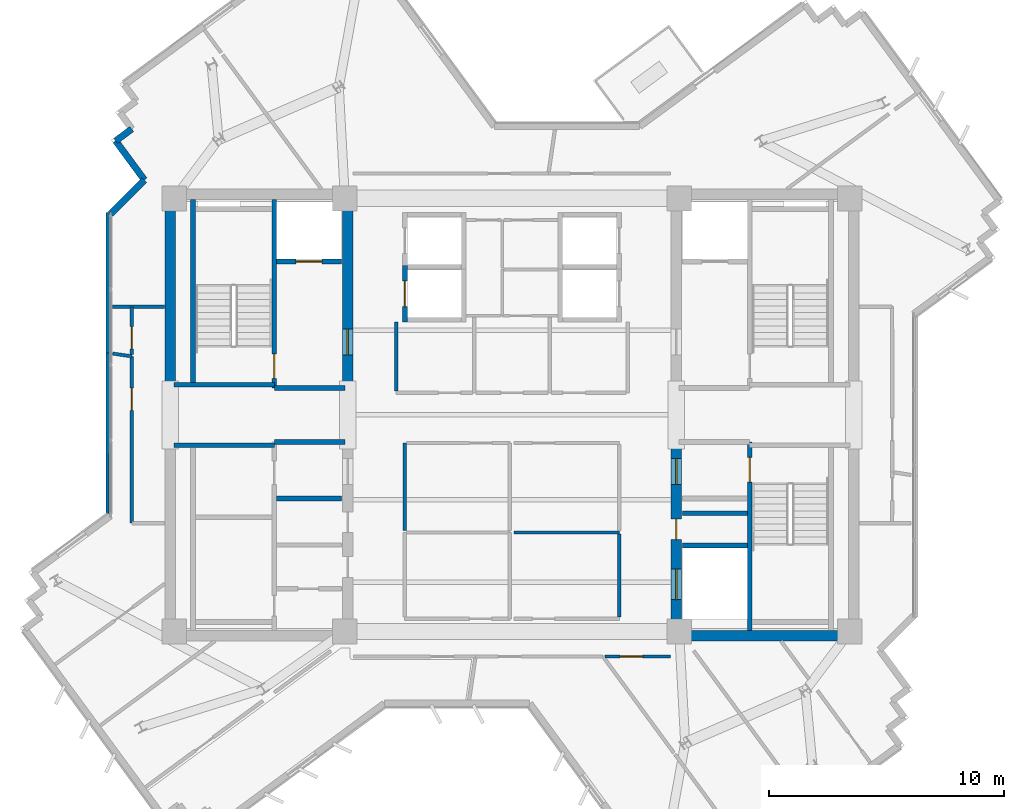
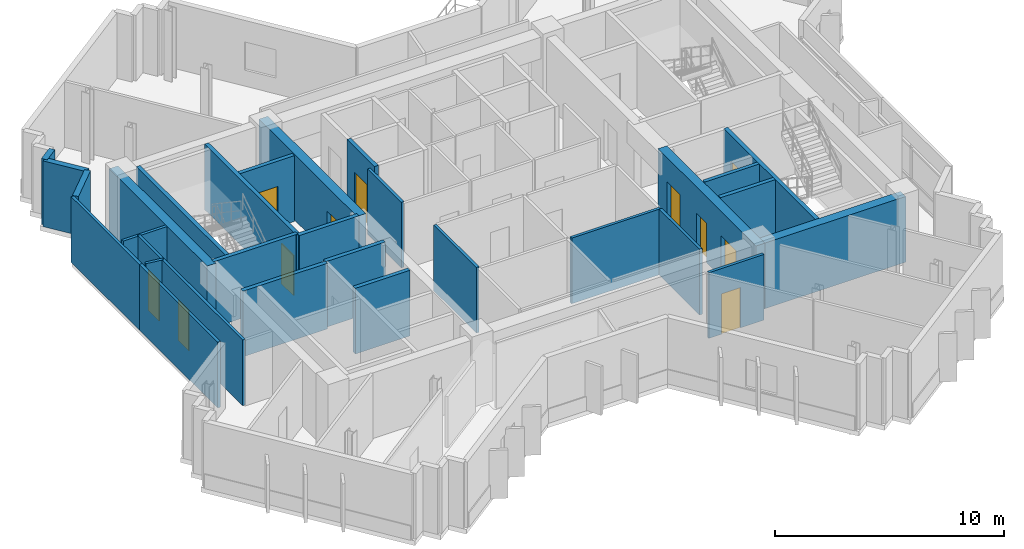
# One storey, part 7 of 13: 30 walls, 11 doors, 11 openings.
"""IFC4 building model written with IfcOpenShell, lengths in metres."""

import ifcopenshell
import ifcopenshell.guid

model = None  # the IFC model being written
_history = None  # IfcOwnerHistory: only IFC2X3 demands one
_inside = {}  # id of a spatial element -> (the spatial element, [elements in it])
_under = {}  # id of a project, library or spatial element -> (it, [spatial elements below it])
_declared = {}  # id of a project -> (the project, [libraries it declares])
_typed = {}  # id of a type object -> (the type object, [elements of that type])
_made_of = {}  # id of a material, layer set ... -> (it, [elements and type objects made of it])


def new_model(schema):
    """Start an empty IFC model of exactly this schema.

    Asked for "IFC4X3", IfcOpenShell would pick the latest addendum, in which some entities
    have other attributes; the version numbers below select the first issue.
    IFC2X3 requires an IfcOwnerHistory on every rooted entity: one is made here for all.
    """
    global model, _history
    if schema == "IFC4X3":
        model = ifcopenshell.file(schema_version=(4, 3, 0, 0))
    else:
        model = ifcopenshell.file(schema=schema)
    _inside.clear()
    _under.clear()
    _declared.clear()
    _typed.clear()
    _made_of.clear()
    _history = None
    if model.schema == "IFC2X3":
        org = make("IfcOrganization", Name="unknown")
        user = make(
            "IfcPersonAndOrganization",
            ThePerson=make("IfcPerson", FamilyName="unknown"),
            TheOrganization=org,
        )
        app = make(
            "IfcApplication",
            ApplicationDeveloper=org,
            Version="unknown",
            ApplicationFullName="unknown",
            ApplicationIdentifier="unknown",
        )
        _history = make(
            "IfcOwnerHistory",
            OwningUser=user,
            OwningApplication=app,
            ChangeAction="ADDED",
            CreationDate=0,
        )
    return model


def make(cls, **values):
    """One entity of the class cls with the attributes given. An attribute that is None is left unset."""
    return model.create_entity(
        cls, **{name: value for name, value in values.items() if value is not None}
    )


def rooted(cls, **values):
    """An entity with a GlobalId (a new one), such as an element, a storey or a relation."""
    return make(cls, GlobalId=ifcopenshell.guid.new(), OwnerHistory=_history, **values)


def si_unit(unit_type, name, prefix=None):
    """IfcSIUnit, for example si_unit("LENGTHUNIT", "METRE", prefix="MILLI")."""
    return make("IfcSIUnit", UnitType=unit_type, Prefix=prefix, Name=name)


def assignment(units):
    """IfcUnitAssignment: the units of a project."""
    return None if units is None else make("IfcUnitAssignment", Units=units)


def point(xyz):
    """IfcCartesianPoint."""
    return None if xyz is None else make("IfcCartesianPoint", Coordinates=xyz)


def direction(xyz):
    """IfcDirection."""
    return None if xyz is None else make("IfcDirection", DirectionRatios=xyz)


def frame(location, z_axis=None, x_axis=None):
    """IfcAxis2Placement3D, a coordinate frame: its origin and axes. An axis left out is left unset."""
    return make(
        "IfcAxis2Placement3D",
        Location=point(location),
        Axis=direction(z_axis),
        RefDirection=direction(x_axis),
    )


def frame_2d(location, x_axis=None):
    """IfcAxis2Placement2D, a coordinate frame in the plane: its origin and x axis."""
    return make(
        "IfcAxis2Placement2D", Location=point(location), RefDirection=direction(x_axis)
    )


def origin():
    """The frame at (0, 0, 0) with its axes left unset."""
    return frame((0.0, 0.0, 0.0))


def place(relative_to, where):
    """IfcLocalPlacement: puts the frame where relative to a parent placement (None: the world)."""
    return make(
        "IfcLocalPlacement", PlacementRelTo=relative_to, RelativePlacement=where
    )


def context(
    kind, dimensions, precision=None, world=None, true_north=None, identifier=None
):
    """IfcGeometricRepresentationContext, for example the 3D "Model" context."""
    return make(
        "IfcGeometricRepresentationContext",
        ContextIdentifier=identifier,
        ContextType=kind,
        CoordinateSpaceDimension=dimensions,
        Precision=precision,
        WorldCoordinateSystem=world,
        TrueNorth=true_north,
    )


def subcontext(parent, identifier, kind, view, scale=None):
    """IfcGeometricRepresentationSubContext, for example "Body" below "Model"."""
    return make(
        "IfcGeometricRepresentationSubContext",
        ContextIdentifier=identifier,
        ContextType=kind,
        ParentContext=parent,
        TargetScale=scale,
        TargetView=view,
    )


def project(units=None, contexts=None):
    """IfcProject with its units and contexts."""
    return rooted(
        "IfcProject",
        Name="project",
        RepresentationContexts=contexts,
        UnitsInContext=assignment(units),
    )


def spatial(cls, under=None, at=None, **own):
    """A site, building, storey or space (cls), placed at a placement, below another one or the project."""
    s = rooted(cls, ObjectPlacement=at, **own)
    if under is not None:
        _under.setdefault(under.id(), (under, []))[1].append(s)
    return s


def profile(cls, at=None, kind="AREA", **sizes):
    """A parametric profile (cls). Its sizes go by their IFC names, for example OverallWidth=200.0."""
    return make(cls, ProfileType=kind, Position=at, **sizes)


def rectangle(**sizes):
    """IfcRectangleProfileDef."""
    return profile("IfcRectangleProfileDef", **sizes)


def extrude(swept, where, along, depth):
    """IfcExtrudedAreaSolid: the profile swept, set in the frame where, extruded along a direction by depth."""
    return make(
        "IfcExtrudedAreaSolid",
        SweptArea=swept,
        Position=where,
        ExtrudedDirection=direction(along),
        Depth=depth,
    )


def shape(context_of_items, identifier, shape_type, items):
    """IfcShapeRepresentation: the items that make up one representation, for example the "Body"."""
    return make(
        "IfcShapeRepresentation",
        ContextOfItems=context_of_items,
        RepresentationIdentifier=identifier,
        RepresentationType=shape_type,
        Items=items,
    )


def source(mapping_origin, context_of_items, identifier, shape_type, items):
    """IfcRepresentationMap: a shape defined once, which mapped items show again and again."""
    return make(
        "IfcRepresentationMap",
        MappingOrigin=mapping_origin,
        MappedRepresentation=shape(context_of_items, identifier, shape_type, items),
    )


def transform(
    local_origin,
    x_axis=None,
    y_axis=None,
    z_axis=None,
    scale=None,
    scale2=None,
    scale3=None,
    uniform=True,
):
    """IfcCartesianTransformationOperator3D, or its non-uniform kind. x_axis, y_axis, z_axis: its Axis1, 2, 3."""
    if uniform:
        return make(
            "IfcCartesianTransformationOperator3D",
            Axis1=direction(x_axis),
            Axis2=direction(y_axis),
            LocalOrigin=point(local_origin),
            Scale=scale,
            Axis3=direction(z_axis),
        )
    return make(
        "IfcCartesianTransformationOperator3DnonUniform",
        Axis1=direction(x_axis),
        Axis2=direction(y_axis),
        LocalOrigin=point(local_origin),
        Scale=scale,
        Axis3=direction(z_axis),
        Scale2=scale2,
        Scale3=scale3,
    )


def mapped(mapping_source, mapping_target):
    """IfcMappedItem: shows the shape of a source again, moved by a transform."""
    return make(
        "IfcMappedItem", MappingSource=mapping_source, MappingTarget=mapping_target
    )


def material(Name=None, Category=None):
    """IfcMaterial."""
    return make("IfcMaterial", Name=Name, Category=Category)


def layer(
    of_material, thickness, ventilated=None, Name=None, Category=None, Priority=None
):
    """IfcMaterialLayer: one layer of a wall or slab, of a material (None: an air gap)."""
    return make(
        "IfcMaterialLayer",
        Material=of_material,
        LayerThickness=thickness,
        IsVentilated=ventilated,
        Name=Name,
        Category=Category,
        Priority=Priority,
    )


def layer_set(layers, Name=None):
    """IfcMaterialLayerSet."""
    return make("IfcMaterialLayerSet", MaterialLayers=layers, LayerSetName=Name)


def made_of(thing, what):
    """Note that an element or type object is made of a material, layer set ...; save() writes the relation."""
    if what is not None:
        _made_of.setdefault(what.id(), (what, []))[1].append(thing)
    return thing


def type_object(cls, material=None, **own):
    """A type object (cls), such as IfcWallType, which elements share."""
    return made_of(rooted(cls, **own), material)


def element(
    cls,
    number,
    at=None,
    inside=None,
    cuts=None,
    type_object=None,
    material=None,
    context=None,
    identifier="Body",
    shape_type=None,
    held_by="IfcProductDefinitionShape",
    body=None,
    shapes=None,
    **own,
):
    """One element of the class cls, such as IfcWall. Its Tag is "e" and its number.

    at: its placement. inside: the storey or other place that contains it. cuts: it is an
    opening in that element (IfcRelVoidsElement). A single representation is given by context,
    identifier, shape_type and body (its items); several are given by shapes. held_by: the class
    of the entity that holds the representations. save() writes the other relations.
    """
    e = rooted(cls, Tag="e%d" % number, ObjectPlacement=at, **own)
    if body is not None:
        shapes = [shape(context, identifier, shape_type, body)]
    if shapes is not None:
        e.Representation = make(held_by, Representations=shapes)
    if inside is not None:
        _inside.setdefault(inside.id(), (inside, []))[1].append(e)
    if cuts is not None:
        rooted(
            "IfcRelVoidsElement", RelatingBuildingElement=cuts, RelatedOpeningElement=e
        )
    if type_object is not None:
        _typed.setdefault(type_object.id(), (type_object, []))[1].append(e)
    return made_of(e, material)


def fill(opening, filler):
    """IfcRelFillsElement: the door or window that sits in an opening."""
    return rooted(
        "IfcRelFillsElement",
        RelatingOpeningElement=opening,
        RelatedBuildingElement=filler,
    )


def aggregate(whole, parts):
    """IfcRelAggregates: a whole, such as a stair, and the parts it consists of."""
    return rooted("IfcRelAggregates", RelatingObject=whole, RelatedObjects=parts)


def save(model, path):
    """Write the relations noted so far, then the file.

    IfcRelAggregates (storeys below a building ...), IfcRelContainedInSpatialStructure (elements
    in a storey), IfcRelDefinesByType, IfcRelAssociatesMaterial and IfcRelDeclares: one each for
    every whole, place, type object, material and project.
    """
    for whole, parts in _under.values():
        aggregate(whole, parts)
    for where, things in _inside.values():
        rooted(
            "IfcRelContainedInSpatialStructure",
            RelatedElements=things,
            RelatingStructure=where,
        )
    for kind, things in _typed.values():
        rooted("IfcRelDefinesByType", RelatedObjects=things, RelatingType=kind)
    for what, things in _made_of.values():
        rooted("IfcRelAssociatesMaterial", RelatedObjects=things, RelatingMaterial=what)
    for by, libraries in _declared.values():
        rooted("IfcRelDeclares", RelatingContext=by, RelatedDefinitions=libraries)
    model.write(path)


model = new_model("IFC4")

# Units and contexts
model_context = context("Model", 3, precision=1e-05, world=origin(), true_north=direction((0.0, 1.0)))
body_context = subcontext(model_context, "Body", "Model", "MODEL_VIEW")
ifc_project = project(units=[si_unit("LENGTHUNIT", "METRE"), si_unit("AREAUNIT", "SQUARE_METRE"), si_unit("VOLUMEUNIT", "CUBIC_METRE"), si_unit("PLANEANGLEUNIT", "RADIAN"), si_unit("MASSUNIT", "GRAM", prefix="KILO")], contexts=[model_context])

# Site, building, storey
site_placement = place(None, origin())
site = spatial("IfcSite", under=ifc_project, at=site_placement, CompositionType="ELEMENT")
building_placement = place(site_placement, origin())
building = spatial("IfcBuilding", under=site, at=building_placement, Name="Zahravan Cultural Tower", CompositionType="ELEMENT")
storey_placement = place(building_placement, frame((0.0, 0.0, 272.85009765625)))
storey = spatial("IfcBuildingStorey", under=building, at=storey_placement, Name="L65", CompositionType="ELEMENT", Elevation=272.85009765625)

# Wall, opening, door
ifc_material_1 = material(Name="Concrete C50/60", Category="concrete")
ifc_layer_1 = layer(ifc_material_1, 0.449951171875)
ifc_layer_set_1 = layer_set([ifc_layer_1], Name="Concrete C50/60")
wall_type_1 = type_object("IfcWallType", Name="CW-SHEAR-450-C50", PredefinedType="SHEAR", material=ifc_layer_set_1)
wall_1_placement = place(storey_placement, frame((29.02490234375, 28.050048828125, 0.0), z_axis=(0.0, 0.0, 1.0), x_axis=(0.0, 1.0, 0.0)))
wall_1 = element("IfcWall", 1, at=wall_1_placement, inside=storey, type_object=wall_type_1, Name="L65 Core Shear Wall CW-W-EN-L65", PredefinedType="SHEAR", context=body_context, shape_type="SweptSolid", body=[
    extrude(rectangle(XDim=8.550048828125, YDim=0.449951171875, at=frame_2d((4.27490234375, 0.0))), origin(), (0.0, 0.0, 1.0), 3.5),
])
opening_1_placement = place(wall_1_placement, frame((1.5, 0.0, 0.0)))
opening_1 = element("IfcOpeningElement", 2, at=opening_1_placement, cuts=wall_1, Name="Opening D-L65-06", PredefinedType="OPENING", context=body_context, shape_type="SweptSolid", body=[
    extrude(rectangle(XDim=1.10009765625, YDim=2.199951171875, at=frame_2d((0.550048828125, 1.10009765625))), frame((0.0, 0.23486328125, 0.0), z_axis=(0.0, -1.0, 0.0), x_axis=(1.0, 0.0, 0.0)), (0.0, 0.0, 1.0), 0.469970703125),
])
ifc_material_2 = material(Name="Steel ASTM A572 Grade 50", Category="steel")
door_type_1 = type_object("IfcDoorType", Name="DR-LOBBY-1100", OperationType="NOTDEFINED", PredefinedType="DOOR", material=ifc_material_2)
shared_shape_1 = source(origin(), body_context, "Body", "SweptSolid", [
    extrude(rectangle(XDim=1.10009765625, YDim=2.199951171875, at=frame_2d((0.550048828125, 1.10009765625))), frame((0.0, 0.02490234375, 0.0), z_axis=(0.0, -1.0, 0.0), x_axis=(1.0, 0.0, 0.0)), (0.0, 0.0, 1.0), 0.050048828125),
])
door_1_placement = place(opening_1_placement, origin())
door_1 = element("IfcDoor", 3, at=door_1_placement, inside=storey, type_object=door_type_1, Name="L65 Door D-L65-06", OperationType="SINGLE_SWING_LEFT", OverallHeight=2.199951171875, OverallWidth=1.10009765625, PredefinedType="DOOR", context=body_context, shape_type="MappedRepresentation", body=[
    mapped(shared_shape_1, transform((0.0, 0.0, 0.0), x_axis=(1.0, 0.0, 0.0), y_axis=(0.0, 1.0, 0.0), z_axis=(0.0, 0.0, 1.0), scale=1.0)),
])
fill(opening_1, door_1)

# Wall, openings, doors
wall_2_placement = place(storey_placement, frame((42.97509765625, 17.39990234375, 0.0), z_axis=(0.0, 0.0, 1.0), x_axis=(0.0, 1.0, 0.0)))
wall_2 = element("IfcWall", 4, at=wall_2_placement, inside=storey, type_object=wall_type_1, Name="L65 Core Shear Wall CW-E-WS-L65", PredefinedType="SHEAR", context=body_context, shape_type="SweptSolid", body=[
    extrude(rectangle(XDim=8.550048828125, YDim=0.449951171875, at=frame_2d((4.27490234375, 0.0))), origin(), (0.0, 0.0, 1.0), 3.5),
])
opening_2_placement = place(wall_2_placement, frame((6.64990234375, 0.0, 0.0)))
opening_2 = element("IfcOpeningElement", 5, at=opening_2_placement, cuts=wall_2, Name="Opening D-L65-09", PredefinedType="OPENING", context=body_context, shape_type="SweptSolid", body=[
    extrude(rectangle(XDim=1.10009765625, YDim=2.199951171875, at=frame_2d((0.550048828125, 1.10009765625))), frame((0.0, 0.23486328125, 0.0), z_axis=(0.0, -1.0, 0.0), x_axis=(1.0, 0.0, 0.0)), (0.0, 0.0, 1.0), 0.469970703125),
])
opening_3_placement = place(wall_2_placement, frame((1.75, 0.0, 0.0)))
opening_3 = element("IfcOpeningElement", 6, at=opening_3_placement, cuts=wall_2, Name="Opening LD-L65-03", PredefinedType="OPENING", context=body_context, shape_type="SweptSolid", body=[
    extrude(rectangle(XDim=1.300048828125, YDim=2.199951171875, at=frame_2d((0.64990234375, 1.10009765625))), frame((0.0, 0.23486328125, 0.0), z_axis=(0.0, -1.0, 0.0), x_axis=(1.0, 0.0, 0.0)), (0.0, 0.0, 1.0), 0.469970703125),
])
opening_4_placement = place(wall_2_placement, frame((4.300048828125, 0.0, 0.0)))
opening_4 = element("IfcOpeningElement", 7, at=opening_4_placement, cuts=wall_2, Name="Opening D-L65-13", PredefinedType="OPENING", context=body_context, shape_type="SweptSolid", body=[
    extrude(rectangle(XDim=0.8798828125, YDim=2.10009765625, at=frame_2d((0.43994140625, 1.050048828125))), frame((0.0, 0.23486328125, 0.0), z_axis=(0.0, -1.0, 0.0), x_axis=(1.0, 0.0, 0.0)), (0.0, 0.0, 1.0), 0.469970703125),
])
door_2_placement = place(opening_2_placement, origin())
door_2 = element("IfcDoor", 8, at=door_2_placement, inside=storey, type_object=door_type_1, Name="L65 Door D-L65-09", OperationType="SINGLE_SWING_RIGHT", OverallHeight=2.199951171875, OverallWidth=1.10009765625, PredefinedType="DOOR", context=body_context, shape_type="MappedRepresentation", body=[
    mapped(shared_shape_1, transform((0.0, 0.0, 0.0), x_axis=(1.0, 0.0, 0.0), y_axis=(0.0, 1.0, 0.0), z_axis=(0.0, 0.0, 1.0), scale=1.0)),
])
fill(opening_2, door_2)
door_type_2 = type_object("IfcDoorType", Name="DR-LIFT-1300", OperationType="DOUBLE_DOOR_SLIDING", PredefinedType="DOOR", material=ifc_material_2)
shared_shape_2 = source(origin(), body_context, "Body", "SweptSolid", [
    extrude(rectangle(XDim=1.300048828125, YDim=2.199951171875, at=frame_2d((0.64990234375, 1.10009765625))), frame((0.0, 0.02490234375, 0.0), z_axis=(0.0, -1.0, 0.0), x_axis=(1.0, 0.0, 0.0)), (0.0, 0.0, 1.0), 0.050048828125),
])
door_3_placement = place(opening_3_placement, origin())
door_3 = element("IfcDoor", 9, at=door_3_placement, inside=storey, type_object=door_type_2, Name="L65 Door LD-L65-03", OperationType="DOUBLE_DOOR_SLIDING", OverallHeight=2.199951171875, OverallWidth=1.300048828125, PredefinedType="DOOR", context=body_context, shape_type="MappedRepresentation", body=[
    mapped(shared_shape_2, transform((0.0, 0.0, 0.0), x_axis=(1.0, 0.0, 0.0), y_axis=(0.0, 1.0, 0.0), z_axis=(0.0, 0.0, 1.0), scale=1.0)),
])
fill(opening_3, door_3)
door_type_3 = type_object("IfcDoorType", Name="DR-SVC-880", OperationType="NOTDEFINED", PredefinedType="DOOR", material=ifc_material_2)
shared_shape_3 = source(origin(), body_context, "Body", "SweptSolid", [
    extrude(rectangle(XDim=0.8798828125, YDim=2.10009765625, at=frame_2d((0.43994140625, 1.050048828125))), frame((0.0, 0.02490234375, 0.0), z_axis=(0.0, -1.0, 0.0), x_axis=(1.0, 0.0, 0.0)), (0.0, 0.0, 1.0), 0.050048828125),
])
door_4_placement = place(opening_4_placement, origin())
door_4 = element("IfcDoor", 10, at=door_4_placement, inside=storey, type_object=door_type_3, Name="L65 Door D-L65-13", OperationType="SINGLE_SWING_RIGHT", OverallHeight=2.10009765625, OverallWidth=0.8798828125, PredefinedType="DOOR", context=body_context, shape_type="MappedRepresentation", body=[
    mapped(shared_shape_3, transform((0.0, 0.0, 0.0), x_axis=(1.0, 0.0, 0.0), y_axis=(0.0, 1.0, 0.0), z_axis=(0.0, 0.0, 1.0), scale=1.0)),
])
fill(opening_4, door_4)

# Wall, opening, door
ifc_material_3 = material(Name="Gypsum plasterboard partition")
ifc_layer_2 = layer(ifc_material_3, 0.139892578125)
ifc_layer_set_2 = layer_set([ifc_layer_2], Name="Gypsum plasterboard partition")
wall_type_2 = type_object("IfcWallType", Name="W-PART-140", PredefinedType="PARTITIONING", material=ifc_layer_set_2)
wall_3_placement = place(storey_placement, frame((19.85009765625, 29.489501953125, 0.0), z_axis=(0.0, 0.0, 1.0), x_axis=(0.0, -1.0, 0.0)))
wall_3 = element("IfcWall", 11, at=wall_3_placement, inside=storey, type_object=wall_type_2, Name="L65 Interior Wall 081", PredefinedType="PARTITIONING", context=body_context, shape_type="SweptSolid", body=[
    extrude(rectangle(XDim=7.08349609375, YDim=0.139892578125, at=frame_2d((3.541748046875, 0.0))), origin(), (0.0, 0.0, 1.0), 3.5),
])
opening_5_placement = place(wall_3_placement, frame((1.349365234375, 0.0, 0.0)))
opening_5 = element("IfcOpeningElement", 12, at=opening_5_placement, cuts=wall_3, Name="Opening D-L65-27", PredefinedType="OPENING", context=body_context, shape_type="SweptSolid", body=[
    extrude(rectangle(XDim=0.949951171875, YDim=2.14990234375, at=frame_2d((0.47509765625, 1.074951171875))), frame((0.0, 0.079833984375, 0.0), z_axis=(0.0, -1.0, 0.0), x_axis=(1.0, 0.0, 0.0)), (0.0, 0.0, 1.0), 0.159912109375),
])
ifc_material_4 = material(Name="Anodised bronze-aluminium mullion", Category="aluminium")
door_type_4 = type_object("IfcDoorType", Name="DR-ROOM-950", OperationType="NOTDEFINED", PredefinedType="DOOR", material=ifc_material_4)
shared_shape_4 = source(origin(), body_context, "Body", "SweptSolid", [
    extrude(rectangle(XDim=0.949951171875, YDim=2.14990234375, at=frame_2d((0.47509765625, 1.074951171875))), frame((0.0, 0.02490234375, 0.0), z_axis=(0.0, -1.0, 0.0), x_axis=(1.0, 0.0, 0.0)), (0.0, 0.0, 1.0), 0.050048828125),
])
door_5_placement = place(opening_5_placement, origin())
door_5 = element("IfcDoor", 13, at=door_5_placement, inside=storey, type_object=door_type_4, Name="L65 Door D-L65-27", OperationType="SINGLE_SWING_RIGHT", OverallHeight=2.14990234375, OverallWidth=0.949951171875, PredefinedType="DOOR", context=body_context, shape_type="MappedRepresentation", body=[
    mapped(shared_shape_4, transform((0.0, 0.0, 0.0), x_axis=(1.0, 0.0, 0.0), y_axis=(0.0, 1.0, 0.0), z_axis=(0.0, 0.0, 1.0), scale=1.0)),
])
fill(opening_5, door_5)

wall_4_placement = place(storey_placement, frame((39.9560546875, 16.739990234375, 0.0), z_axis=(0.0, 0.0, 1.0), x_axis=(0.999999996161, 8.7619381e-05, 0.0)))
wall_4 = element("IfcWall", 14, at=wall_4_placement, inside=storey, type_object=wall_type_2, Name="L65 Interior Wall 087", PredefinedType="PARTITIONING", context=body_context, shape_type="SweptSolid", body=[
    extrude(rectangle(XDim=2.786376953125, YDim=0.139892578125, at=frame_2d((1.39306640625, 0.0))), origin(), (0.0, 0.0, 1.0), 3.5),
])
opening_6_placement = place(wall_4_placement, frame((0.642578125, 0.0, 0.0)))
opening_6 = element("IfcOpeningElement", 15, at=opening_6_placement, cuts=wall_4, Name="Opening D-L65-30", PredefinedType="OPENING", context=body_context, shape_type="SweptSolid", body=[
    extrude(rectangle(XDim=0.949951171875, YDim=2.14990234375, at=frame_2d((0.47509765625, 1.074951171875))), frame((0.0, 0.079833984375, 0.0), z_axis=(0.0, -1.0, 0.0), x_axis=(1.0, 0.0, 0.0)), (0.0, 0.0, 1.0), 0.159912109375),
])
door_6_placement = place(opening_6_placement, origin())
door_6 = element("IfcDoor", 16, at=door_6_placement, inside=storey, type_object=door_type_4, Name="L65 Door D-L65-30", OperationType="SINGLE_SWING_LEFT", OverallHeight=2.14990234375, OverallWidth=0.949951171875, PredefinedType="DOOR", context=body_context, shape_type="MappedRepresentation", body=[
    mapped(shared_shape_4, transform((0.0, 0.0, 0.0), x_axis=(1.0, 0.0, 0.0), y_axis=(0.0, 1.0, 0.0), z_axis=(0.0, 0.0, 1.0), scale=1.0)),
])
fill(opening_6, door_6)

wall_5_placement = place(storey_placement, frame((19.8505859375, 31.596435546875, 0.0), z_axis=(0.0, 0.0, 1.0), x_axis=(-0.000240384608, -0.999999971108, 0.0)))
wall_5 = element("IfcWall", 17, at=wall_5_placement, inside=storey, type_object=wall_type_2, Name="L65 Interior Wall 091", PredefinedType="PARTITIONING", context=body_context, shape_type="SweptSolid", body=[
    extrude(rectangle(XDim=2.03125, YDim=0.139892578125, at=frame_2d((1.015625, 0.0))), origin(), (0.0, 0.0, 1.0), 3.5),
])
opening_7_placement = place(wall_5_placement, frame((0.843505859375, 0.0, 0.0)))
opening_7 = element("IfcOpeningElement", 18, at=opening_7_placement, cuts=wall_5, Name="Opening D-L65-26", PredefinedType="OPENING", context=body_context, shape_type="SweptSolid", body=[
    extrude(rectangle(XDim=0.949951171875, YDim=2.14990234375, at=frame_2d((0.47509765625, 1.074951171875))), frame((0.0, 0.079833984375, 0.0), z_axis=(0.0, -1.0, 0.0), x_axis=(1.0, 0.0, 0.0)), (0.0, 0.0, 1.0), 0.159912109375),
])
door_7_placement = place(opening_7_placement, origin())
door_7 = element("IfcDoor", 19, at=door_7_placement, inside=storey, type_object=door_type_4, Name="L65 Door D-L65-26", OperationType="SINGLE_SWING_LEFT", OverallHeight=2.14990234375, OverallWidth=0.949951171875, PredefinedType="DOOR", context=body_context, shape_type="MappedRepresentation", body=[
    mapped(shared_shape_4, transform((0.0, 0.0, 0.0), x_axis=(1.0, 0.0, 0.0), y_axis=(0.0, 1.0, 0.0), z_axis=(0.0, 0.0, 1.0), scale=1.0)),
])
fill(opening_7, door_7)

ifc_material_5 = material(Name="Concrete C45/55", Category="concrete")
ifc_layer_3 = layer(ifc_material_5, 0.199951171875)
ifc_layer_set_3 = layer_set([ifc_layer_3], Name="Concrete C45/55")
wall_type_3 = type_object("IfcWallType", Name="W-SHAFT-200", PredefinedType="SOLIDWALL", material=ifc_layer_set_3)
wall_6_placement = place(storey_placement, frame((25.89990234375, 28.14990234375, 0.0), z_axis=(0.0, 0.0, 1.0), x_axis=(0.0, 1.0, 0.0)))
wall_6 = element("IfcWall", 20, at=wall_6_placement, inside=storey, type_object=wall_type_3, Name="L65 Interior Wall 006", PredefinedType="SOLIDWALL", context=body_context, shape_type="SweptSolid", body=[
    extrude(rectangle(XDim=8.0, YDim=0.199951171875, at=frame_2d((4.0, 0.0))), origin(), (0.0, 0.0, 1.0), 3.5),
])
opening_8_placement = place(wall_6_placement, frame((0.39990234375, 0.0, 0.0)))
opening_8 = element("IfcOpeningElement", 21, at=opening_8_placement, cuts=wall_6, Name="Opening D-L65-01", PredefinedType="OPENING", context=body_context, shape_type="SweptSolid", body=[
    extrude(rectangle(XDim=1.050048828125, YDim=2.14990234375, at=frame_2d((0.52490234375, 1.074951171875))), frame((0.0, 0.10986328125, 0.0), z_axis=(0.0, -1.0, 0.0), x_axis=(1.0, 0.0, 0.0)), (0.0, 0.0, 1.0), 0.219970703125),
])
door_type_5 = type_object("IfcDoorType", Name="DR-STAIR-1050", OperationType="NOTDEFINED", PredefinedType="DOOR", material=ifc_material_2)
shared_shape_5 = source(origin(), body_context, "Body", "SweptSolid", [
    extrude(rectangle(XDim=1.050048828125, YDim=2.14990234375, at=frame_2d((0.52490234375, 1.074951171875))), frame((0.0, 0.02490234375, 0.0), z_axis=(0.0, -1.0, 0.0), x_axis=(1.0, 0.0, 0.0)), (0.0, 0.0, 1.0), 0.050048828125),
])
door_8_placement = place(opening_8_placement, origin())
door_8 = element("IfcDoor", 22, at=door_8_placement, inside=storey, type_object=door_type_5, Name="L65 Door D-L65-01", OperationType="SINGLE_SWING_RIGHT", OverallHeight=2.14990234375, OverallWidth=1.050048828125, PredefinedType="DOOR", context=body_context, shape_type="MappedRepresentation", body=[
    mapped(shared_shape_5, transform((0.0, 0.0, 0.0), x_axis=(1.0, 0.0, 0.0), y_axis=(0.0, 1.0, 0.0), z_axis=(0.0, 0.0, 1.0), scale=1.0)),
])
fill(opening_8, door_8)

wall_7_placement = place(storey_placement, frame((46.10009765625, 17.85009765625, 0.0), z_axis=(0.0, 0.0, 1.0), x_axis=(0.0, 1.0, 0.0)))
wall_7 = element("IfcWall", 23, at=wall_7_placement, inside=storey, type_object=wall_type_3, Name="L65 Interior Wall 007", PredefinedType="SOLIDWALL", context=body_context, shape_type="SweptSolid", body=[
    extrude(rectangle(XDim=8.0, YDim=0.199951171875, at=frame_2d((4.0, 0.0))), origin(), (0.0, 0.0, 1.0), 3.5),
])
opening_9_placement = place(wall_7_placement, frame((6.300048828125, 0.0, 0.0)))
opening_9 = element("IfcOpeningElement", 24, at=opening_9_placement, cuts=wall_7, Name="Opening D-L65-03", PredefinedType="OPENING", context=body_context, shape_type="SweptSolid", body=[
    extrude(rectangle(XDim=1.050048828125, YDim=2.14990234375, at=frame_2d((0.52490234375, 1.074951171875))), frame((0.0, 0.10986328125, 0.0), z_axis=(0.0, -1.0, 0.0), x_axis=(1.0, 0.0, 0.0)), (0.0, 0.0, 1.0), 0.219970703125),
])
door_9_placement = place(opening_9_placement, origin())
door_9 = element("IfcDoor", 25, at=door_9_placement, inside=storey, type_object=door_type_5, Name="L65 Door D-L65-03", OperationType="SINGLE_SWING_RIGHT", OverallHeight=2.14990234375, OverallWidth=1.050048828125, PredefinedType="DOOR", context=body_context, shape_type="MappedRepresentation", body=[
    mapped(shared_shape_5, transform((0.0, 0.0, 0.0), x_axis=(1.0, 0.0, 0.0), y_axis=(0.0, 1.0, 0.0), z_axis=(0.0, 0.0, 1.0), scale=1.0)),
])
fill(opening_9, door_9)

wall_8_placement = place(storey_placement, frame((26.0, 33.52001953125, 0.0), z_axis=(0.0, 0.0, 1.0), x_axis=(1.0, 0.0, 0.0)))
wall_8 = element("IfcWall", 26, at=wall_8_placement, inside=storey, type_object=wall_type_3, Name="L65 Interior Wall 022", PredefinedType="SOLIDWALL", context=body_context, shape_type="SweptSolid", body=[
    extrude(rectangle(XDim=2.75, YDim=0.199951171875, at=frame_2d((1.375, 0.0))), origin(), (0.0, 0.0, 1.0), 3.5),
])
opening_10_placement = place(wall_8_placement, frame((0.820068359375, 0.0, 0.0)))
opening_10 = element("IfcOpeningElement", 27, at=opening_10_placement, cuts=wall_8, Name="Opening LD-L65-01", PredefinedType="OPENING", context=body_context, shape_type="SweptSolid", body=[
    extrude(rectangle(XDim=1.10009765625, YDim=2.14990234375, at=frame_2d((0.550048828125, 1.074951171875))), frame((0.0, 0.10986328125, 0.0), z_axis=(0.0, -1.0, 0.0), x_axis=(1.0, 0.0, 0.0)), (0.0, 0.0, 1.0), 0.219970703125),
])
door_type_6 = type_object("IfcDoorType", Name="DR-LIFT-1100", OperationType="DOUBLE_DOOR_SLIDING", PredefinedType="DOOR", material=ifc_material_2)
shared_shape_6 = source(origin(), body_context, "Body", "SweptSolid", [
    extrude(rectangle(XDim=1.10009765625, YDim=2.14990234375, at=frame_2d((0.550048828125, 1.074951171875))), frame((0.0, 0.02490234375, 0.0), z_axis=(0.0, -1.0, 0.0), x_axis=(1.0, 0.0, 0.0)), (0.0, 0.0, 1.0), 0.050048828125),
])
door_10_placement = place(opening_10_placement, origin())
door_10 = element("IfcDoor", 28, at=door_10_placement, inside=storey, type_object=door_type_6, Name="L65 Door LD-L65-01", OperationType="DOUBLE_DOOR_SLIDING", OverallHeight=2.14990234375, OverallWidth=1.10009765625, PredefinedType="DOOR", context=body_context, shape_type="MappedRepresentation", body=[
    mapped(shared_shape_6, transform((0.0, 0.0, 0.0), x_axis=(1.0, 0.0, 0.0), y_axis=(0.0, 1.0, 0.0), z_axis=(0.0, 0.0, 1.0), scale=1.0)),
])
fill(opening_10, door_10)

wall_9_placement = place(storey_placement, frame((31.449951171875, 30.949951171875, 0.0), z_axis=(0.0, 0.0, 1.0), x_axis=(0.0, 1.0, 0.0)))
wall_9 = element("IfcWall", 29, at=wall_9_placement, inside=storey, type_object=wall_type_3, Name="L65 Interior Wall 034", PredefinedType="SOLIDWALL", context=body_context, shape_type="SweptSolid", body=[
    extrude(rectangle(XDim=2.400146484375, YDim=0.199951171875, at=frame_2d((1.2001953125, 0.0))), origin(), (0.0, 0.0, 1.0), 3.5),
])
opening_11_placement = place(wall_9_placement, frame((0.64990234375, 0.0, 0.0)))
opening_11 = element("IfcOpeningElement", 30, at=opening_11_placement, cuts=wall_9, Name="Opening LD-L65-05", PredefinedType="OPENING", context=body_context, shape_type="SweptSolid", body=[
    extrude(rectangle(XDim=1.10009765625, YDim=2.14990234375, at=frame_2d((0.550048828125, 1.074951171875))), frame((0.0, 0.10986328125, 0.0), z_axis=(0.0, -1.0, 0.0), x_axis=(1.0, 0.0, 0.0)), (0.0, 0.0, 1.0), 0.219970703125),
])
door_11_placement = place(opening_11_placement, origin())
door_11 = element("IfcDoor", 31, at=door_11_placement, inside=storey, type_object=door_type_6, Name="L65 Door LD-L65-05", OperationType="DOUBLE_DOOR_SLIDING", OverallHeight=2.14990234375, OverallWidth=1.10009765625, PredefinedType="DOOR", context=body_context, shape_type="MappedRepresentation", body=[
    mapped(shared_shape_6, transform((0.0, 0.0, 0.0), x_axis=(1.0, 0.0, 0.0), y_axis=(0.0, 1.0, 0.0), z_axis=(0.0, 0.0, 1.0), scale=1.0)),
])
fill(opening_11, door_11)

# Walls
shared_shape_7 = source(origin(), body_context, "Body", "SweptSolid", [
    extrude(rectangle(XDim=8.550048828125, YDim=0.449951171875, at=frame_2d((4.27490234375, 0.0))), origin(), (0.0, 0.0, 1.0), 3.5),
])
wall_10_placement = place(storey_placement, frame((21.47509765625, 28.050048828125, 0.0), z_axis=(0.0, 0.0, 1.0), x_axis=(0.0, 1.0, 0.0)))
element("IfcWall", 32, at=wall_10_placement, inside=storey, type_object=wall_type_1, Name="L65 Core Shear Wall CW-W-WN-L65", PredefinedType="SHEAR", context=body_context, shape_type="MappedRepresentation", body=[
    mapped(shared_shape_7, transform((0.0, 0.0, 0.0), x_axis=(1.0, 0.0, 0.0), y_axis=(0.0, 1.0, 0.0), z_axis=(0.0, 0.0, 1.0), scale=1.0)),
])
shared_shape_8 = source(origin(), body_context, "Body", "SweptSolid", [
    extrude(rectangle(XDim=7.10009765625, YDim=0.449951171875, at=frame_2d((3.550048828125, 0.0))), origin(), (0.0, 0.0, 1.0), 3.5),
])
wall_11_placement = place(storey_placement, frame((43.199951171875, 17.625, 0.0), z_axis=(0.0, 0.0, 1.0), x_axis=(1.0, 0.0, 0.0)))
element("IfcWall", 33, at=wall_11_placement, inside=storey, type_object=wall_type_1, Name="L65 Core Shear Wall CW-E-S-L65", PredefinedType="SHEAR", context=body_context, shape_type="MappedRepresentation", body=[
    mapped(shared_shape_8, transform((0.0, 0.0, 0.0), x_axis=(1.0, 0.0, 0.0), y_axis=(0.0, 1.0, 0.0), z_axis=(0.0, 0.0, 1.0), scale=1.0)),
])
ifc_material_6 = material(Name="Precast concrete C40/50", Category="concrete")
ifc_layer_4 = layer(ifc_material_6, 0.280029296875)
ifc_layer_set_4 = layer_set([ifc_layer_4], Name="Precast concrete C40/50")
wall_type_4 = type_object("IfcWallType", Name="EW-TC-280", PredefinedType="SOLIDWALL", material=ifc_layer_set_4)
shared_shape_9 = source(origin(), body_context, "Body", "SweptSolid", [
    extrude(rectangle(XDim=0.85009765625, YDim=0.280029296875, at=frame_2d((0.425048828125, 0.0))), origin(), (0.0, 0.0, 1.0), 3.5),
])
wall_12_placement = place(storey_placement, frame((19.160888671875, 38.645263671875, 0.0), z_axis=(0.0, 0.0, 1.0), x_axis=(0.80534450163, 0.592807079659, 0.0)))
element("IfcWall", 34, at=wall_12_placement, inside=storey, type_object=wall_type_4, Name="L65 Exterior Masonry Frame Wall 38", PredefinedType="SOLIDWALL", context=body_context, shape_type="MappedRepresentation", body=[
    mapped(shared_shape_9, transform((0.0, 0.0, 0.0), x_axis=(1.0, 0.0, 0.0), y_axis=(0.0, 1.0, 0.0), z_axis=(0.0, 0.0, 1.0), scale=1.0)),
])
shared_shape_10 = source(origin(), body_context, "Body", "SweptSolid", [
    extrude(rectangle(XDim=2.04052734375, YDim=0.280029296875, at=frame_2d((1.020263671875, 0.0))), origin(), (0.0, 0.0, 1.0), 3.5),
])
wall_13_placement = place(storey_placement, frame((18.93994140625, 35.5419921875, 0.0), z_axis=(0.0, 0.0, 1.0), x_axis=(0.707106781187, 0.707106781187, 0.0)))
element("IfcWall", 35, at=wall_13_placement, inside=storey, type_object=wall_type_4, Name="L65 Exterior Masonry Frame Wall 36", PredefinedType="SOLIDWALL", context=body_context, shape_type="MappedRepresentation", body=[
    mapped(shared_shape_10, transform((0.0, 0.0, 0.0), x_axis=(1.0, 0.0, 0.0), y_axis=(0.0, 1.0, 0.0), z_axis=(0.0, 0.0, 1.0), scale=1.0)),
])
shared_shape_11 = source(origin(), body_context, "Body", "SweptSolid", [
    extrude(rectangle(XDim=2.0615234375, YDim=0.280029296875, at=frame_2d((1.03076171875, 0.0))), origin(), (0.0, 0.0, 1.0), 3.5),
])
wall_14_placement = place(storey_placement, frame((20.3828125, 36.98486328125, 0.0), z_axis=(0.0, 0.0, 1.0), x_axis=(-0.592718215209, 0.80540990642, 0.0)))
element("IfcWall", 36, at=wall_14_placement, inside=storey, type_object=wall_type_4, Name="L65 Exterior Masonry Frame Wall 37", PredefinedType="SOLIDWALL", context=body_context, shape_type="MappedRepresentation", body=[
    mapped(shared_shape_11, transform((0.0, 0.0, 0.0), x_axis=(1.0, 0.0, 0.0), y_axis=(0.0, 1.0, 0.0), z_axis=(0.0, 0.0, 1.0), scale=1.0)),
])
shared_shape_12 = source(origin(), body_context, "Body", "SweptSolid", [
    extrude(rectangle(XDim=7.869873046875, YDim=0.199951171875, at=frame_2d((3.93505859375, 0.0))), origin(), (0.0, 0.0, 1.0), 3.5),
])
wall_15_placement = place(storey_placement, frame((22.449951171875, 28.280029296875, 0.0), z_axis=(0.0, 0.0, 1.0), x_axis=(0.0, 1.0, 0.0)))
element("IfcWall", 37, at=wall_15_placement, inside=storey, type_object=wall_type_3, Name="L65 Interior Wall 002", PredefinedType="SOLIDWALL", context=body_context, shape_type="MappedRepresentation", body=[
    mapped(shared_shape_12, transform((0.0, 0.0, 0.0), x_axis=(1.0, 0.0, 0.0), y_axis=(0.0, 1.0, 0.0), z_axis=(0.0, 0.0, 1.0), scale=1.0)),
])
shared_shape_13 = source(origin(), body_context, "Body", "SweptSolid", [
    extrude(rectangle(XDim=4.25, YDim=0.199951171875, at=frame_2d((2.125, 0.0))), origin(), (0.0, 0.0, 1.0), 3.5),
])
for number, where, z_axis, x_axis, name in (
    (38, (21.64990234375, 25.715087890625, 0.0), (0.0, 0.0, 1.0), (1.0, 0.0, 0.0), "L65 Interior Wall 009"),
    (39, (21.64990234375, 28.284912109375, 0.0), (0.0, 0.0, 1.0), (1.0, 0.0, 0.0), "L65 Interior Wall 011"),
):
    element("IfcWall", number, at=place(storey_placement, frame(where, z_axis=z_axis, x_axis=x_axis)), inside=storey, type_object=wall_type_3, Name=name, PredefinedType="SOLIDWALL", context=body_context, shape_type="MappedRepresentation", body=[
        mapped(shared_shape_13, transform((0.0, 0.0, 0.0), x_axis=(1.0, 0.0, 0.0), y_axis=(0.0, 1.0, 0.0), z_axis=(0.0, 0.0, 1.0), scale=1.0)),
    ])
shared_shape_14 = source(origin(), body_context, "Body", "SweptSolid", [
    extrude(rectangle(XDim=3.0, YDim=0.199951171875, at=frame_2d((1.5, 0.0))), origin(), (0.0, 0.0, 1.0), 3.5),
])
for number, where, z_axis, x_axis, name in (
    (40, (25.89990234375, 25.85009765625, 0.0), (0.0, 0.0, 1.0), (1.0, 0.0, 0.0), "L65 Interior Wall 010"),
    (41, (25.89990234375, 28.14990234375, 0.0), (0.0, 0.0, 1.0), (1.0, 0.0, 0.0), "L65 Interior Wall 012"),
):
    element("IfcWall", number, at=place(storey_placement, frame(where, z_axis=z_axis, x_axis=x_axis)), inside=storey, type_object=wall_type_3, Name=name, PredefinedType="SOLIDWALL", context=body_context, shape_type="MappedRepresentation", body=[
        mapped(shared_shape_14, transform((0.0, 0.0, 0.0), x_axis=(1.0, 0.0, 0.0), y_axis=(0.0, 1.0, 0.0), z_axis=(0.0, 0.0, 1.0), scale=1.0)),
    ])
shared_shape_15 = source(origin(), body_context, "Body", "SweptSolid", [
    extrude(rectangle(XDim=2.75, YDim=0.199951171875, at=frame_2d((1.375, 0.0))), origin(), (0.0, 0.0, 1.0), 3.5),
])
for number, where, z_axis, x_axis, name in (
    (42, (26.0, 23.449951171875, 0.0), (0.0, 0.0, 1.0), (1.0, 0.0, 0.0), "L65 Interior Wall 024"),
    (43, (43.25, 21.449951171875, 0.0), (0.0, 0.0, 1.0), (1.0, 0.0, 0.0), "L65 Interior Wall 026"),
):
    element("IfcWall", number, at=place(storey_placement, frame(where, z_axis=z_axis, x_axis=x_axis)), inside=storey, type_object=wall_type_3, Name=name, PredefinedType="SOLIDWALL", context=body_context, shape_type="MappedRepresentation", body=[
        mapped(shared_shape_15, transform((0.0, 0.0, 0.0), x_axis=(1.0, 0.0, 0.0), y_axis=(0.0, 1.0, 0.0), z_axis=(0.0, 0.0, 1.0), scale=1.0)),
    ])
ifc_layer_5 = layer(ifc_material_3, 0.179931640625)
ifc_layer_set_5 = layer_set([ifc_layer_5], Name="Gypsum plasterboard partition")
wall_type_5 = type_object("IfcWallType", Name="W-COMP-180", PredefinedType="PARTITIONING", material=ifc_layer_set_5)
shared_shape_16 = source(origin(), body_context, "Body", "SweptSolid", [
    extrude(rectangle(XDim=2.75, YDim=0.179931640625, at=frame_2d((1.375, 0.0))), origin(), (0.0, 0.0, 1.0), 3.5),
])
wall_16_placement = place(storey_placement, frame((43.25, 22.820068359375, 0.0), z_axis=(0.0, 0.0, 1.0), x_axis=(1.0, 0.0, 0.0)))
element("IfcWall", 44, at=wall_16_placement, inside=storey, type_object=wall_type_5, Name="L65 Interior Wall 029", PredefinedType="PARTITIONING", context=body_context, shape_type="MappedRepresentation", body=[
    mapped(shared_shape_16, transform((0.0, 0.0, 0.0), x_axis=(1.0, 0.0, 0.0), y_axis=(0.0, 1.0, 0.0), z_axis=(0.0, 0.0, 1.0), scale=1.0)),
])
shared_shape_17 = source(origin(), body_context, "Body", "SweptSolid", [
    extrude(rectangle(XDim=2.93505859375, YDim=0.139892578125, at=frame_2d((1.467529296875, 0.0))), origin(), (0.0, 0.0, 1.0), 3.5),
])
wall_17_placement = place(storey_placement, frame((31.080078125, 28.014892578125, 0.0), z_axis=(0.0, 0.0, 1.0), x_axis=(0.0, 1.0, 0.0)))
element("IfcWall", 45, at=wall_17_placement, inside=storey, type_object=wall_type_2, Name="L65 Interior Wall 055", PredefinedType="PARTITIONING", context=body_context, shape_type="MappedRepresentation", body=[
    mapped(shared_shape_17, transform((0.0, 0.0, 0.0), x_axis=(1.0, 0.0, 0.0), y_axis=(0.0, 1.0, 0.0), z_axis=(0.0, 0.0, 1.0), scale=1.0)),
])
shared_shape_18 = source(origin(), body_context, "Body", "SweptSolid", [
    extrude(rectangle(XDim=4.469970703125, YDim=0.139892578125, at=frame_2d((2.23486328125, 0.0))), origin(), (0.0, 0.0, 1.0), 3.5),
])
wall_18_placement = place(storey_placement, frame((36.090087890625, 22.010009765625, 0.0), z_axis=(0.0, 0.0, 1.0), x_axis=(1.0, 0.0, 0.0)))
element("IfcWall", 46, at=wall_18_placement, inside=storey, type_object=wall_type_2, Name="L65 Interior Wall 063", PredefinedType="PARTITIONING", context=body_context, shape_type="MappedRepresentation", body=[
    mapped(shared_shape_18, transform((0.0, 0.0, 0.0), x_axis=(1.0, 0.0, 0.0), y_axis=(0.0, 1.0, 0.0), z_axis=(0.0, 0.0, 1.0), scale=1.0)),
])
shared_shape_19 = source(origin(), body_context, "Body", "SweptSolid", [
    extrude(rectangle(XDim=3.52001953125, YDim=0.139892578125, at=frame_2d((1.760009765625, 0.0))), origin(), (0.0, 0.0, 1.0), 3.5),
])
wall_19_placement = place(storey_placement, frame((40.56005859375, 21.93505859375, 0.0), z_axis=(0.0, 0.0, 1.0), x_axis=(0.0, -1.0, 0.0)))
element("IfcWall", 47, at=wall_19_placement, inside=storey, type_object=wall_type_2, Name="L65 Interior Wall 064", PredefinedType="PARTITIONING", context=body_context, shape_type="MappedRepresentation", body=[
    mapped(shared_shape_19, transform((0.0, 0.0, 0.0), x_axis=(1.0, 0.0, 0.0), y_axis=(0.0, 1.0, 0.0), z_axis=(0.0, 0.0, 1.0), scale=1.0)),
])
shared_shape_20 = source(origin(), body_context, "Body", "SweptSolid", [
    extrude(rectangle(XDim=3.719970703125, YDim=0.139892578125, at=frame_2d((1.85986328125, 0.0))), origin(), (0.0, 0.0, 1.0), 3.5),
])
wall_20_placement = place(storey_placement, frame((31.43994140625, 22.090087890625, 0.0), z_axis=(0.0, 0.0, 1.0), x_axis=(0.0, 1.0, 0.0)))
element("IfcWall", 48, at=wall_20_placement, inside=storey, type_object=wall_type_2, Name="L65 Interior Wall 065", PredefinedType="PARTITIONING", context=body_context, shape_type="MappedRepresentation", body=[
    mapped(shared_shape_20, transform((0.0, 0.0, 0.0), x_axis=(1.0, 0.0, 0.0), y_axis=(0.0, 1.0, 0.0), z_axis=(0.0, 0.0, 1.0), scale=1.0)),
])
shared_shape_21 = source(origin(), body_context, "Body", "SweptSolid", [
    extrude(rectangle(XDim=6.835693359375, YDim=0.139892578125, at=frame_2d((3.41796875, 0.0))), origin(), (0.0, 0.0, 1.0), 3.5),
])
wall_21_placement = place(storey_placement, frame((18.818115234375, 22.8046875, 0.0), z_axis=(0.0, 0.0, 1.0), x_axis=(0.000285724478, 0.999999959181, 0.0)))
element("IfcWall", 49, at=wall_21_placement, inside=storey, type_object=wall_type_2, Name="L65 Interior Wall 083", PredefinedType="PARTITIONING", context=body_context, shape_type="MappedRepresentation", body=[
    mapped(shared_shape_21, transform((0.0, 0.0, 0.0), x_axis=(1.0, 0.0, 0.0), y_axis=(0.0, 1.0, 0.0), z_axis=(0.0, 0.0, 1.0), scale=1.0)),
])
shared_shape_22 = source(origin(), body_context, "Body", "SweptSolid", [
    extrude(rectangle(XDim=0.823974609375, YDim=0.139892578125, at=frame_2d((0.412109375, 0.0))), origin(), (0.0, 0.0, 1.0), 3.5),
])
wall_22_placement = place(storey_placement, frame((19.034912109375, 29.60888671875, 0.0), z_axis=(0.0, 0.0, 1.0), x_axis=(0.989445525715, -0.144905319579, 0.0)))
element("IfcWall", 50, at=wall_22_placement, inside=storey, type_object=wall_type_2, Name="L65 Interior Wall 084", PredefinedType="PARTITIONING", context=body_context, shape_type="MappedRepresentation", body=[
    mapped(shared_shape_22, transform((0.0, 0.0, 0.0), x_axis=(1.0, 0.0, 0.0), y_axis=(0.0, 1.0, 0.0), z_axis=(0.0, 0.0, 1.0), scale=1.0)),
])
shared_shape_23 = source(origin(), body_context, "Body", "SweptSolid", [
    extrude(rectangle(XDim=5.951416015625, YDim=0.139892578125, at=frame_2d((2.9755859375, 0.0))), origin(), (0.0, 0.0, 1.0), 3.5),
])
wall_23_placement = place(storey_placement, frame((18.820068359375, 29.640380859375, 0.0), z_axis=(0.0, 0.0, 1.0), x_axis=(0.0, 1.0, 0.0)))
element("IfcWall", 51, at=wall_23_placement, inside=storey, type_object=wall_type_2, Name="L65 Interior Wall 092", PredefinedType="PARTITIONING", context=body_context, shape_type="MappedRepresentation", body=[
    mapped(shared_shape_23, transform((0.0, 0.0, 0.0), x_axis=(1.0, 0.0, 0.0), y_axis=(0.0, 1.0, 0.0), z_axis=(0.0, 0.0, 1.0), scale=1.0)),
])
shared_shape_24 = source(origin(), body_context, "Body", "SweptSolid", [
    extrude(rectangle(XDim=2.215087890625, YDim=0.139892578125, at=frame_2d((1.107421875, 0.0))), origin(), (0.0, 0.0, 1.0), 3.5),
])
wall_24_placement = place(storey_placement, frame((21.2451171875, 31.599853515625, 0.0), z_axis=(0.0, 0.0, 1.0), x_axis=(-0.999997060242, -0.002424769682, 0.0)))
element("IfcWall", 52, at=wall_24_placement, inside=storey, type_object=wall_type_2, Name="L65 Interior Wall 095", PredefinedType="PARTITIONING", context=body_context, shape_type="MappedRepresentation", body=[
    mapped(shared_shape_24, transform((0.0, 0.0, 0.0), x_axis=(1.0, 0.0, 0.0), y_axis=(0.0, 1.0, 0.0), z_axis=(0.0, 0.0, 1.0), scale=1.0)),
])

save(model, "model.ifc")
